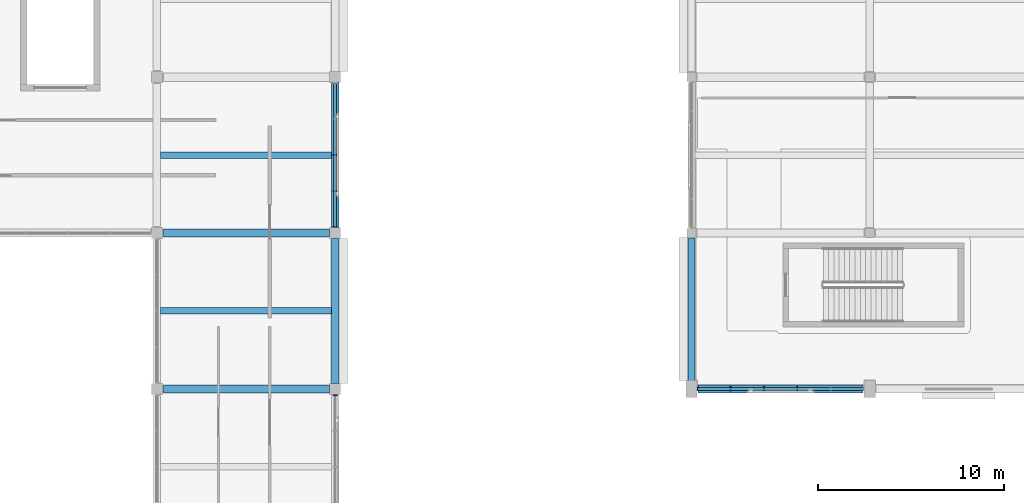
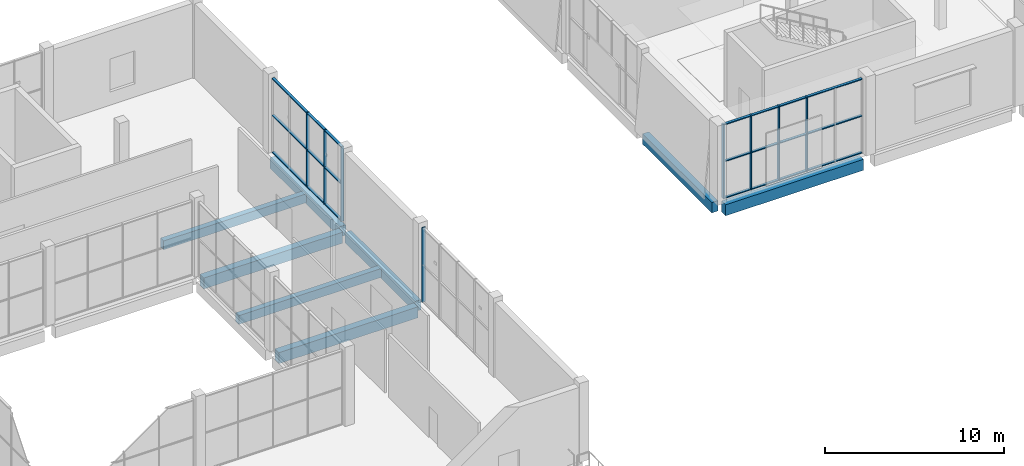
# One storey, part 27 of 83: 14 members, 8 beams, 3 elements without a shape of their own.
"""IFC4 building model written with IfcOpenShell, lengths in metres."""

from ifc_helpers import new_model, si_unit, direction, frame, origin, origin_2d, place, context, subcontext, project, spatial, rectangle, extrude, material, material_profile, profile_set, type_object, element, aggregate, save


model = new_model("IFC4")

# Units and contexts
model_context = context("Model", 3, precision=1e-05, world=origin(), true_north=direction((0.0, 1.0)))
body_context = subcontext(model_context, "Body", "Model", "MODEL_VIEW")
ifc_project = project(units=[si_unit("LENGTHUNIT", "METRE"), si_unit("AREAUNIT", "SQUARE_METRE"), si_unit("VOLUMEUNIT", "CUBIC_METRE"), si_unit("PLANEANGLEUNIT", "RADIAN"), si_unit("MASSUNIT", "GRAM", prefix="KILO")], contexts=[model_context])

# Site, building, storey
site_placement = place(None, origin())
site = spatial("IfcSite", under=ifc_project, at=site_placement, CompositionType="ELEMENT")
building_placement = place(site_placement, origin())
building = spatial("IfcBuilding", under=site, at=building_placement, Name="Shalvenor Court Art Gallery", CompositionType="ELEMENT")
storey_placement = place(building_placement, frame((0.0, 0.0, 6.0)))
storey = spatial("IfcBuildingStorey", under=building, at=storey_placement, Name="L01", CompositionType="ELEMENT", Elevation=6.0)

# Beams
ifc_material_1 = material(Name="Concrete C40/50", Category="concrete")
ifc_material_profile_1 = material_profile(ifc_material_1, rectangle(XDim=0.449951171875, YDim=0.75, at=origin_2d()), Name="RC 450x750")
ifc_profile_set_1 = profile_set([ifc_material_profile_1], Name="Concrete C40/50")
beam_type_1 = type_object("IfcBeamType", Name="B-04", PredefinedType="BEAM", material=ifc_profile_set_1)
beam_1_placement = place(storey_placement, frame((29.14990234375, 97.199951171875, -0.695068359375), z_axis=(1.0, 0.0, 0.0), x_axis=(0.0, 1.0, 0.0)))
element("IfcBeam", 1, at=beam_1_placement, inside=storey, type_object=beam_type_1, Name="L01 Girder BM-L01-B-04-0582", PredefinedType="BEAM", context=body_context, shape_type="SweptSolid", body=[
    extrude(rectangle(XDim=0.449951171875, YDim=0.75, at=origin_2d()), origin(), (0.0, 0.0, 1.0), 8.9501953125),
])
beam_2_placement = place(storey_placement, frame((57.949951171875, 97.199951171875, -0.695068359375), z_axis=(1.0, 0.0, 0.0), x_axis=(0.0, 1.0, 0.0)))
element("IfcBeam", 2, at=beam_2_placement, inside=storey, type_object=beam_type_1, Name="L01 Girder BM-L01-B-04-0583", PredefinedType="BEAM", context=body_context, shape_type="SweptSolid", body=[
    extrude(rectangle(XDim=0.449951171875, YDim=0.75, at=origin_2d()), origin(), (0.0, 0.0, 1.0), 8.900146484375),
])
beam_3_placement = place(storey_placement, frame((29.14990234375, 105.60009765625, -0.695068359375), z_axis=(1.0, 0.0, 0.0), x_axis=(0.0, 1.0, 0.0)))
element("IfcBeam", 3, at=beam_3_placement, inside=storey, type_object=beam_type_1, Name="L01 Girder BM-L01-B-04-0598", PredefinedType="BEAM", context=body_context, shape_type="SweptSolid", body=[
    extrude(rectangle(XDim=0.449951171875, YDim=0.75, at=origin_2d()), origin(), (0.0, 0.0, 1.0), 8.9501953125),
])
ifc_material_2 = material(Name="Concrete C40/50", Category="concrete")
ifc_material_profile_2 = material_profile(ifc_material_2, rectangle(XDim=0.39990234375, YDim=0.699951171875, at=origin_2d()), Name="RC 400x700")
ifc_profile_set_2 = profile_set([ifc_material_profile_2], Name="Concrete C40/50")
beam_type_2 = type_object("IfcBeamType", Name="B-05", PredefinedType="BEAM", material=ifc_profile_set_2)
for number, where, z_axis, x_axis, name in (
    (4, (38.39990234375, 97.5, -0.669921875), (0.0, 1.0, 0.0), (-1.0, 0.0, 0.0), "L01 Girder BM-L01-B-05-0394"),
    (5, (38.39990234375, 105.89990234375, -0.669921875), (0.0, 1.0, 0.0), (-1.0, 0.0, 0.0), "L01 Girder BM-L01-B-05-0395"),
):
    element("IfcBeam", number, at=place(storey_placement, frame(where, z_axis=z_axis, x_axis=x_axis)), inside=storey, type_object=beam_type_2, Name=name, PredefinedType="BEAM", context=body_context, shape_type="SweptSolid", body=[
        extrude(rectangle(XDim=0.39990234375, YDim=0.699951171875, at=origin_2d()), origin(), (0.0, 0.0, 1.0), 7.800048828125),
    ])
beam_4_placement = place(storey_placement, frame((57.60009765625, 97.550048828125, -0.669921875), z_axis=(0.0, 1.0, 0.0), x_axis=(-1.0, 0.0, 0.0)))
element("IfcBeam", 6, at=beam_4_placement, inside=storey, type_object=beam_type_2, Name="L01 Girder BM-L01-B-05-0404", PredefinedType="BEAM", context=body_context, shape_type="SweptSolid", body=[
    extrude(rectangle(XDim=0.39990234375, YDim=0.699951171875, at=origin_2d()), origin(), (0.0, 0.0, 1.0), 7.75),
])

# Curtain wall, members
ifc_material_3 = material(Name="Anodised aluminium and low-iron glass curtain wall", Category="aluminium")
curtain_wall_type_1 = type_object("IfcCurtainWallType", Name="CW-4x2-78-51-221", PredefinedType="USERDEFINED", material=ifc_material_3)
curtain_wall_1_placement = place(storey_placement, origin())
curtain_wall_1 = element("IfcCurtainWall", 7, at=curtain_wall_1_placement, inside=storey, type_object=curtain_wall_type_1, Name="L01 V5 Curtain Wall CW-L01-169", ObjectType="CURTAIN WALL", PredefinedType="USERDEFINED")
ifc_material_4 = material(Name="Anodised aluminium mullion", Category="aluminium")
ifc_material_profile_3 = material_profile(ifc_material_4, rectangle(XDim=0.070068359375, YDim=0.199951171875, at=origin_2d()), Name="CWM-02")
ifc_profile_set_3 = profile_set([ifc_material_profile_3], Name="Anodised aluminium mullion")
member_type_1 = type_object("IfcMemberType", Name="CWM-02", PredefinedType="MULLION", material=ifc_profile_set_3)
member_1_placement = place(storey_placement, frame((38.39990234375, 109.800048828125, 0.0), z_axis=(0.0, 0.0, 1.0), x_axis=(0.0, -1.0, 0.0)))
member_1 = element("IfcMember", 8, at=member_1_placement, type_object=member_type_1, Name="CW-4x2-78-51-221 mullion 3", PredefinedType="MULLION", context=body_context, shape_type="SweptSolid", body=[
    extrude(rectangle(XDim=0.070068359375, YDim=0.199951171875, at=origin_2d()), origin(), (0.0, 0.0, 1.0), 5.080078125),
])
member_2_placement = place(storey_placement, frame((38.39990234375, 107.85009765625, 0.0), z_axis=(0.0, 0.0, 1.0), x_axis=(0.0, -1.0, 0.0)))
member_2 = element("IfcMember", 9, at=member_2_placement, type_object=member_type_1, Name="CW-4x2-78-51-221 mullion 4", PredefinedType="MULLION", context=body_context, shape_type="SweptSolid", body=[
    extrude(rectangle(XDim=0.070068359375, YDim=0.199951171875, at=origin_2d()), origin(), (0.0, 0.0, 1.0), 5.080078125),
])
member_3_placement = place(storey_placement, frame((38.39990234375, 105.93505859375, 0.0), z_axis=(0.0, 0.0, 1.0), x_axis=(0.0, -1.0, 0.0)))
member_3 = element("IfcMember", 10, at=member_3_placement, type_object=member_type_1, Name="CW-4x2-78-51-221 mullion 5", PredefinedType="MULLION", context=body_context, shape_type="SweptSolid", body=[
    extrude(rectangle(XDim=0.070068359375, YDim=0.199951171875, at=origin_2d()), origin(), (0.0, 0.0, 1.0), 5.080078125),
])

ifc_material_5 = material(Name="Anodised aluminium and low-iron glass curtain wall", Category="aluminium")
curtain_wall_type_2 = type_object("IfcCurtainWallType", Name="CW-5x2-90-51-422", PredefinedType="USERDEFINED", material=ifc_material_5)
curtain_wall_2_placement = place(storey_placement, origin())
curtain_wall_2 = element("IfcCurtainWall", 11, at=curtain_wall_2_placement, inside=storey, type_object=curtain_wall_type_2, Name="L01 V2 Curtain Wall CW-L01-070", ObjectType="CURTAIN WALL", PredefinedType="USERDEFINED")
ifc_material_6 = material(Name="Anodised aluminium mullion", Category="aluminium")
ifc_material_profile_4 = material_profile(ifc_material_6, rectangle(XDim=0.074951171875, YDim=0.219970703125, at=origin_2d()), Name="CWM-04")
ifc_profile_set_4 = profile_set([ifc_material_profile_4], Name="Anodised aluminium mullion")
member_type_2 = type_object("IfcMemberType", Name="CWM-04", PredefinedType="MULLION", material=ifc_profile_set_4)
member_4_placement = place(storey_placement, frame((63.300048828125, 97.199951171875, 0.0), z_axis=(0.0, 0.0, 1.0), x_axis=(-1.0, 0.0, 0.0)))
member_4 = element("IfcMember", 12, at=member_4_placement, type_object=member_type_2, Name="CW-5x2-90-51-422 mullion 3", PredefinedType="MULLION", context=body_context, shape_type="SweptSolid", body=[
    extrude(rectangle(XDim=0.074951171875, YDim=0.219970703125, at=origin_2d()), origin(), (0.0, 0.0, 1.0), 5.080078125),
])
member_5_placement = place(storey_placement, frame((61.5, 97.199951171875, 0.0), z_axis=(0.0, 0.0, 1.0), x_axis=(-1.0, 0.0, 0.0)))
member_5 = element("IfcMember", 13, at=member_5_placement, type_object=member_type_2, Name="CW-5x2-90-51-422 mullion 4", PredefinedType="MULLION", context=body_context, shape_type="SweptSolid", body=[
    extrude(rectangle(XDim=0.074951171875, YDim=0.219970703125, at=origin_2d()), origin(), (0.0, 0.0, 1.0), 5.080078125),
])
member_6_placement = place(storey_placement, frame((59.699951171875, 97.199951171875, 0.0), z_axis=(0.0, 0.0, 1.0), x_axis=(-1.0, 0.0, 0.0)))
member_6 = element("IfcMember", 14, at=member_6_placement, type_object=member_type_2, Name="CW-5x2-90-51-422 mullion 5", PredefinedType="MULLION", context=body_context, shape_type="SweptSolid", body=[
    extrude(rectangle(XDim=0.074951171875, YDim=0.219970703125, at=origin_2d()), origin(), (0.0, 0.0, 1.0), 5.080078125),
])
member_7_placement = place(storey_placement, frame((57.9375, 97.199951171875, 0.0), z_axis=(0.0, 0.0, 1.0), x_axis=(-1.0, 0.0, 0.0)))
member_7 = element("IfcMember", 15, at=member_7_placement, type_object=member_type_2, Name="CW-5x2-90-51-422 mullion 6", PredefinedType="MULLION", context=body_context, shape_type="SweptSolid", body=[
    extrude(rectangle(XDim=0.074951171875, YDim=0.219970703125, at=origin_2d()), origin(), (0.0, 0.0, 1.0), 5.080078125),
])

# Curtain wall, member
ifc_material_7 = material(Name="Anodised aluminium and low-iron glass curtain wall", Category="aluminium")
curtain_wall_type_3 = type_object("IfcCurtainWallType", Name="CW-4x2-78-51-441", PredefinedType="USERDEFINED", material=ifc_material_7)
curtain_wall_3_placement = place(storey_placement, origin())
curtain_wall_3 = element("IfcCurtainWall", 16, at=curtain_wall_3_placement, inside=storey, type_object=curtain_wall_type_3, Name="L01 V5 Curtain Wall CW-L01-170", ObjectType="CURTAIN WALL", PredefinedType="USERDEFINED")
member_8_placement = place(storey_placement, frame((38.39990234375, 96.862548828125, 0.0), z_axis=(0.0, 0.0, 1.0), x_axis=(0.0, -1.0, 0.0)))
member_8 = element("IfcMember", 17, at=member_8_placement, type_object=member_type_2, Name="CW-4x2-78-51-441 mullion 1", PredefinedType="MULLION", context=body_context, shape_type="SweptSolid", body=[
    extrude(rectangle(XDim=0.074951171875, YDim=0.219970703125, at=origin_2d()), origin(), (0.0, 0.0, 1.0), 5.080078125),
])
aggregate(curtain_wall_3, [member_8])

# Member
ifc_material_8 = material(Name="Anodised aluminium transom", Category="aluminium")
ifc_material_profile_5 = material_profile(ifc_material_8, rectangle(XDim=0.169921875, YDim=0.06494140625, at=origin_2d()), Name="CWT-02")
ifc_profile_set_5 = profile_set([ifc_material_profile_5], Name="Anodised aluminium transom")
member_type_3 = type_object("IfcMemberType", Name="CWT-02", PredefinedType="USERDEFINED", material=ifc_profile_set_5)
member_9_placement = place(storey_placement, frame((66.862548828125, 97.199951171875, 0.032470703125), z_axis=(-1.0, 0.0, 0.0), x_axis=(0.0, -1.0, 0.0)))
member_9 = element("IfcMember", 18, at=member_9_placement, type_object=member_type_3, Name="CW-5x2-90-51-422 transom 1", ObjectType="TRANSOM", PredefinedType="USERDEFINED", context=body_context, shape_type="SweptSolid", body=[
    extrude(rectangle(XDim=0.169921875, YDim=0.06494140625, at=origin_2d()), origin(), (0.0, 0.0, 1.0), 8.925048828125),
])

member_10_placement = place(storey_placement, frame((66.862548828125, 97.199951171875, 2.5400390625), z_axis=(-1.0, 0.0, 0.0), x_axis=(0.0, -1.0, 0.0)))
member_10 = element("IfcMember", 19, at=member_10_placement, type_object=member_type_3, Name="CW-5x2-90-51-422 transom 2", ObjectType="TRANSOM", PredefinedType="USERDEFINED", context=body_context, shape_type="SweptSolid", body=[
    extrude(rectangle(XDim=0.169921875, YDim=0.06494140625, at=origin_2d()), origin(), (0.0, 0.0, 1.0), 8.925048828125),
])

member_11_placement = place(storey_placement, frame((66.862548828125, 97.199951171875, 5.047607421875), z_axis=(-1.0, 0.0, 0.0), x_axis=(0.0, -1.0, 0.0)))
member_11 = element("IfcMember", 20, at=member_11_placement, type_object=member_type_3, Name="CW-5x2-90-51-422 transom 3", ObjectType="TRANSOM", PredefinedType="USERDEFINED", context=body_context, shape_type="SweptSolid", body=[
    extrude(rectangle(XDim=0.169921875, YDim=0.06494140625, at=origin_2d()), origin(), (0.0, 0.0, 1.0), 8.925048828125),
])

aggregate(curtain_wall_2, [member_4, member_5, member_6, member_7, member_9, member_10, member_11])

member_12_placement = place(storey_placement, frame((38.39990234375, 113.6650390625, 0.032470703125), z_axis=(0.0, -1.0, 0.0), x_axis=(1.0, 0.0, 0.0)))
member_12 = element("IfcMember", 21, at=member_12_placement, type_object=member_type_3, Name="CW-4x2-78-51-221 transom 1", ObjectType="TRANSOM", PredefinedType="USERDEFINED", context=body_context, shape_type="SweptSolid", body=[
    extrude(rectangle(XDim=0.169921875, YDim=0.06494140625, at=origin_2d()), origin(), (0.0, 0.0, 1.0), 7.72998046875),
])

member_13_placement = place(storey_placement, frame((38.39990234375, 113.6650390625, 2.5400390625), z_axis=(0.0, -1.0, 0.0), x_axis=(1.0, 0.0, 0.0)))
member_13 = element("IfcMember", 22, at=member_13_placement, type_object=member_type_3, Name="CW-4x2-78-51-221 transom 2", ObjectType="TRANSOM", PredefinedType="USERDEFINED", context=body_context, shape_type="SweptSolid", body=[
    extrude(rectangle(XDim=0.169921875, YDim=0.06494140625, at=origin_2d()), origin(), (0.0, 0.0, 1.0), 7.72998046875),
])

member_14_placement = place(storey_placement, frame((38.39990234375, 113.6650390625, 5.047607421875), z_axis=(0.0, -1.0, 0.0), x_axis=(1.0, 0.0, 0.0)))
member_14 = element("IfcMember", 23, at=member_14_placement, type_object=member_type_3, Name="CW-4x2-78-51-221 transom 3", ObjectType="TRANSOM", PredefinedType="USERDEFINED", context=body_context, shape_type="SweptSolid", body=[
    extrude(rectangle(XDim=0.169921875, YDim=0.06494140625, at=origin_2d()), origin(), (0.0, 0.0, 1.0), 7.72998046875),
])

aggregate(curtain_wall_1, [member_1, member_2, member_3, member_12, member_13, member_14])

# Beams
ifc_material_9 = material(Name="Concrete C40/50", Category="concrete")
ifc_material_profile_6 = material_profile(ifc_material_9, rectangle(XDim=0.35009765625, YDim=0.60009765625, at=origin_2d()), Name="RC 350x600")
ifc_profile_set_6 = profile_set([ifc_material_profile_6], Name="Concrete C40/50")
beam_type_3 = type_object("IfcBeamType", Name="J-01", PredefinedType="JOIST", material=ifc_profile_set_6)
for number, where, z_axis, x_axis, name in (
    (24, (29.0, 101.39990234375, -0.6201171875), (1.0, 0.0, 0.0), (0.0, 1.0, 0.0), "L01 Secondary Beam JST-L01-J-01-0639"),
    (25, (29.0, 109.800048828125, -0.6201171875), (1.0, 0.0, 0.0), (0.0, 1.0, 0.0), "L01 Secondary Beam JST-L01-J-01-0640"),
):
    element("IfcBeam", number, at=place(storey_placement, frame(where, z_axis=z_axis, x_axis=x_axis)), inside=storey, type_object=beam_type_3, Name=name, PredefinedType="JOIST", context=body_context, shape_type="SweptSolid", body=[
        extrude(rectangle(XDim=0.35009765625, YDim=0.60009765625, at=origin_2d()), origin(), (0.0, 0.0, 1.0), 9.199951171875),
    ])

save(model, "model.ifc")
